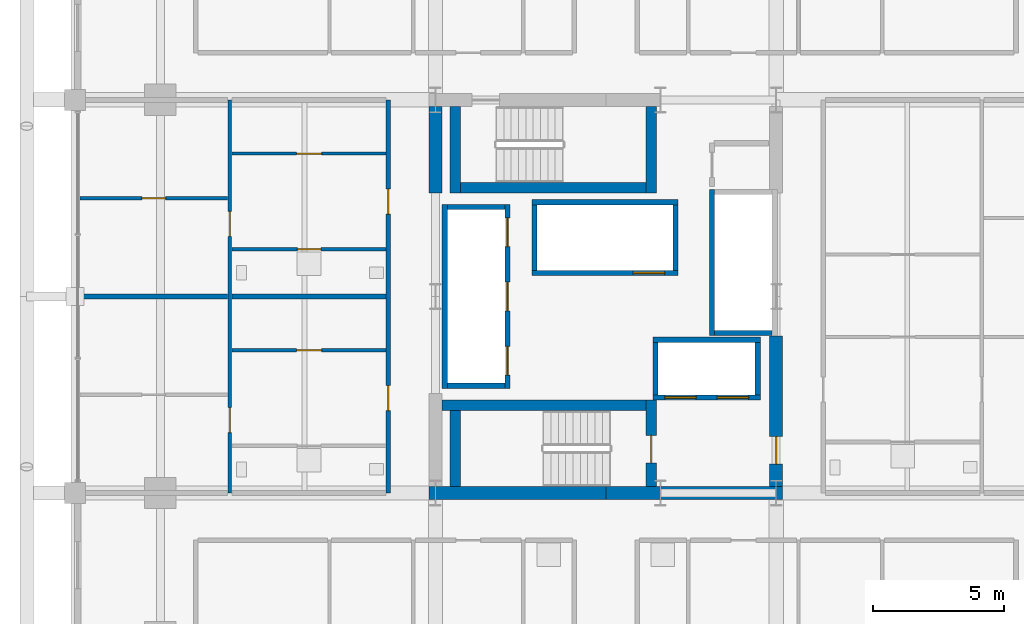
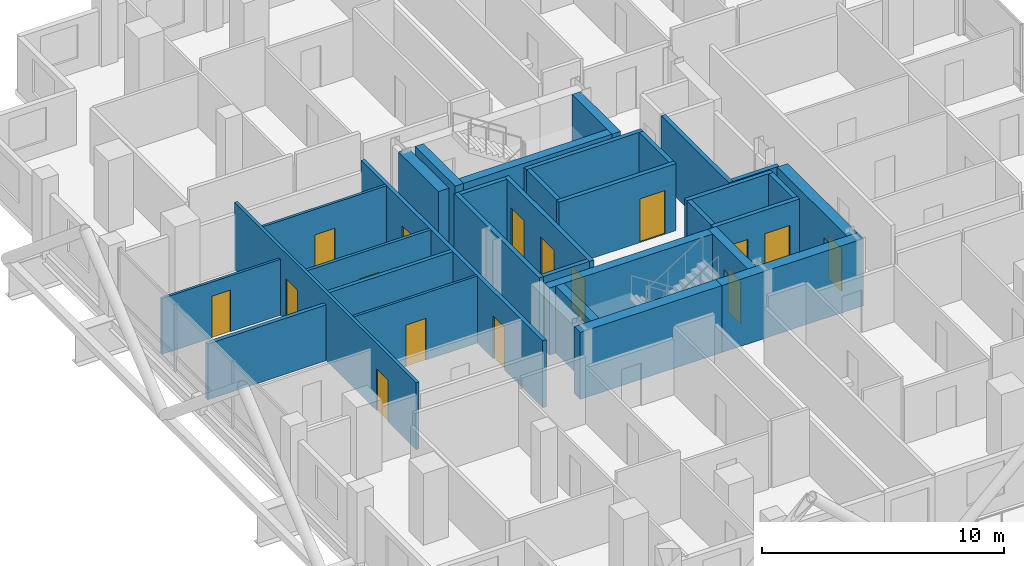
# One storey, part 15 of 21: 32 walls, 16 doors, 16 openings.
"""IFC4 building model written with IfcOpenShell, lengths in metres."""

import ifcopenshell
import ifcopenshell.guid

model = None  # the IFC model being written
_history = None  # IfcOwnerHistory: only IFC2X3 demands one
_inside = {}  # id of a spatial element -> (the spatial element, [elements in it])
_under = {}  # id of a project, library or spatial element -> (it, [spatial elements below it])
_declared = {}  # id of a project -> (the project, [libraries it declares])
_typed = {}  # id of a type object -> (the type object, [elements of that type])
_made_of = {}  # id of a material, layer set ... -> (it, [elements and type objects made of it])


def new_model(schema):
    """Start an empty IFC model of exactly this schema.

    Asked for "IFC4X3", IfcOpenShell would pick the latest addendum, in which some entities
    have other attributes; the version numbers below select the first issue.
    IFC2X3 requires an IfcOwnerHistory on every rooted entity: one is made here for all.
    """
    global model, _history
    if schema == "IFC4X3":
        model = ifcopenshell.file(schema_version=(4, 3, 0, 0))
    else:
        model = ifcopenshell.file(schema=schema)
    _inside.clear()
    _under.clear()
    _declared.clear()
    _typed.clear()
    _made_of.clear()
    _history = None
    if model.schema == "IFC2X3":
        org = make("IfcOrganization", Name="unknown")
        user = make(
            "IfcPersonAndOrganization",
            ThePerson=make("IfcPerson", FamilyName="unknown"),
            TheOrganization=org,
        )
        app = make(
            "IfcApplication",
            ApplicationDeveloper=org,
            Version="unknown",
            ApplicationFullName="unknown",
            ApplicationIdentifier="unknown",
        )
        _history = make(
            "IfcOwnerHistory",
            OwningUser=user,
            OwningApplication=app,
            ChangeAction="ADDED",
            CreationDate=0,
        )
    return model


def make(cls, **values):
    """One entity of the class cls with the attributes given. An attribute that is None is left unset."""
    return model.create_entity(
        cls, **{name: value for name, value in values.items() if value is not None}
    )


def rooted(cls, **values):
    """An entity with a GlobalId (a new one), such as an element, a storey or a relation."""
    return make(cls, GlobalId=ifcopenshell.guid.new(), OwnerHistory=_history, **values)


def si_unit(unit_type, name, prefix=None):
    """IfcSIUnit, for example si_unit("LENGTHUNIT", "METRE", prefix="MILLI")."""
    return make("IfcSIUnit", UnitType=unit_type, Prefix=prefix, Name=name)


def assignment(units):
    """IfcUnitAssignment: the units of a project."""
    return None if units is None else make("IfcUnitAssignment", Units=units)


def point(xyz):
    """IfcCartesianPoint."""
    return None if xyz is None else make("IfcCartesianPoint", Coordinates=xyz)


def direction(xyz):
    """IfcDirection."""
    return None if xyz is None else make("IfcDirection", DirectionRatios=xyz)


def frame(location, z_axis=None, x_axis=None):
    """IfcAxis2Placement3D, a coordinate frame: its origin and axes. An axis left out is left unset."""
    return make(
        "IfcAxis2Placement3D",
        Location=point(location),
        Axis=direction(z_axis),
        RefDirection=direction(x_axis),
    )


def frame_2d(location, x_axis=None):
    """IfcAxis2Placement2D, a coordinate frame in the plane: its origin and x axis."""
    return make(
        "IfcAxis2Placement2D", Location=point(location), RefDirection=direction(x_axis)
    )


def origin():
    """The frame at (0, 0, 0) with its axes left unset."""
    return frame((0.0, 0.0, 0.0))


def place(relative_to, where):
    """IfcLocalPlacement: puts the frame where relative to a parent placement (None: the world)."""
    return make(
        "IfcLocalPlacement", PlacementRelTo=relative_to, RelativePlacement=where
    )


def context(
    kind, dimensions, precision=None, world=None, true_north=None, identifier=None
):
    """IfcGeometricRepresentationContext, for example the 3D "Model" context."""
    return make(
        "IfcGeometricRepresentationContext",
        ContextIdentifier=identifier,
        ContextType=kind,
        CoordinateSpaceDimension=dimensions,
        Precision=precision,
        WorldCoordinateSystem=world,
        TrueNorth=true_north,
    )


def subcontext(parent, identifier, kind, view, scale=None):
    """IfcGeometricRepresentationSubContext, for example "Body" below "Model"."""
    return make(
        "IfcGeometricRepresentationSubContext",
        ContextIdentifier=identifier,
        ContextType=kind,
        ParentContext=parent,
        TargetScale=scale,
        TargetView=view,
    )


def project(units=None, contexts=None):
    """IfcProject with its units and contexts."""
    return rooted(
        "IfcProject",
        Name="project",
        RepresentationContexts=contexts,
        UnitsInContext=assignment(units),
    )


def spatial(cls, under=None, at=None, **own):
    """A site, building, storey or space (cls), placed at a placement, below another one or the project."""
    s = rooted(cls, ObjectPlacement=at, **own)
    if under is not None:
        _under.setdefault(under.id(), (under, []))[1].append(s)
    return s


def profile(cls, at=None, kind="AREA", **sizes):
    """A parametric profile (cls). Its sizes go by their IFC names, for example OverallWidth=200.0."""
    return make(cls, ProfileType=kind, Position=at, **sizes)


def rectangle(**sizes):
    """IfcRectangleProfileDef."""
    return profile("IfcRectangleProfileDef", **sizes)


def extrude(swept, where, along, depth):
    """IfcExtrudedAreaSolid: the profile swept, set in the frame where, extruded along a direction by depth."""
    return make(
        "IfcExtrudedAreaSolid",
        SweptArea=swept,
        Position=where,
        ExtrudedDirection=direction(along),
        Depth=depth,
    )


def shape(context_of_items, identifier, shape_type, items):
    """IfcShapeRepresentation: the items that make up one representation, for example the "Body"."""
    return make(
        "IfcShapeRepresentation",
        ContextOfItems=context_of_items,
        RepresentationIdentifier=identifier,
        RepresentationType=shape_type,
        Items=items,
    )


def material(Name=None, Category=None):
    """IfcMaterial."""
    return make("IfcMaterial", Name=Name, Category=Category)


def layer(
    of_material, thickness, ventilated=None, Name=None, Category=None, Priority=None
):
    """IfcMaterialLayer: one layer of a wall or slab, of a material (None: an air gap)."""
    return make(
        "IfcMaterialLayer",
        Material=of_material,
        LayerThickness=thickness,
        IsVentilated=ventilated,
        Name=Name,
        Category=Category,
        Priority=Priority,
    )


def layer_set(layers, Name=None):
    """IfcMaterialLayerSet."""
    return make("IfcMaterialLayerSet", MaterialLayers=layers, LayerSetName=Name)


def made_of(thing, what):
    """Note that an element or type object is made of a material, layer set ...; save() writes the relation."""
    if what is not None:
        _made_of.setdefault(what.id(), (what, []))[1].append(thing)
    return thing


def type_object(cls, material=None, **own):
    """A type object (cls), such as IfcWallType, which elements share."""
    return made_of(rooted(cls, **own), material)


def element(
    cls,
    number,
    at=None,
    inside=None,
    cuts=None,
    type_object=None,
    material=None,
    context=None,
    identifier="Body",
    shape_type=None,
    held_by="IfcProductDefinitionShape",
    body=None,
    shapes=None,
    **own,
):
    """One element of the class cls, such as IfcWall. Its Tag is "e" and its number.

    at: its placement. inside: the storey or other place that contains it. cuts: it is an
    opening in that element (IfcRelVoidsElement). A single representation is given by context,
    identifier, shape_type and body (its items); several are given by shapes. held_by: the class
    of the entity that holds the representations. save() writes the other relations.
    """
    e = rooted(cls, Tag="e%d" % number, ObjectPlacement=at, **own)
    if body is not None:
        shapes = [shape(context, identifier, shape_type, body)]
    if shapes is not None:
        e.Representation = make(held_by, Representations=shapes)
    if inside is not None:
        _inside.setdefault(inside.id(), (inside, []))[1].append(e)
    if cuts is not None:
        rooted(
            "IfcRelVoidsElement", RelatingBuildingElement=cuts, RelatedOpeningElement=e
        )
    if type_object is not None:
        _typed.setdefault(type_object.id(), (type_object, []))[1].append(e)
    return made_of(e, material)


def fill(opening, filler):
    """IfcRelFillsElement: the door or window that sits in an opening."""
    return rooted(
        "IfcRelFillsElement",
        RelatingOpeningElement=opening,
        RelatedBuildingElement=filler,
    )


def aggregate(whole, parts):
    """IfcRelAggregates: a whole, such as a stair, and the parts it consists of."""
    return rooted("IfcRelAggregates", RelatingObject=whole, RelatedObjects=parts)


def save(model, path):
    """Write the relations noted so far, then the file.

    IfcRelAggregates (storeys below a building ...), IfcRelContainedInSpatialStructure (elements
    in a storey), IfcRelDefinesByType, IfcRelAssociatesMaterial and IfcRelDeclares: one each for
    every whole, place, type object, material and project.
    """
    for whole, parts in _under.values():
        aggregate(whole, parts)
    for where, things in _inside.values():
        rooted(
            "IfcRelContainedInSpatialStructure",
            RelatedElements=things,
            RelatingStructure=where,
        )
    for kind, things in _typed.values():
        rooted("IfcRelDefinesByType", RelatedObjects=things, RelatingType=kind)
    for what, things in _made_of.values():
        rooted("IfcRelAssociatesMaterial", RelatedObjects=things, RelatingMaterial=what)
    for by, libraries in _declared.values():
        rooted("IfcRelDeclares", RelatingContext=by, RelatedDefinitions=libraries)
    model.write(path)


model = new_model("IFC4")

# Units and contexts
model_context = context("Model", 3, precision=1e-05, world=origin(), true_north=direction((0.0, 1.0)))
body_context = subcontext(model_context, "Body", "Model", "MODEL_VIEW")
ifc_project = project(units=[si_unit("LENGTHUNIT", "METRE"), si_unit("AREAUNIT", "SQUARE_METRE"), si_unit("VOLUMEUNIT", "CUBIC_METRE"), si_unit("PLANEANGLEUNIT", "RADIAN"), si_unit("MASSUNIT", "GRAM", prefix="KILO")], contexts=[model_context])

# Site, building, storey
site_placement = place(None, origin())
site = spatial("IfcSite", under=ifc_project, at=site_placement, CompositionType="ELEMENT")
building_placement = place(site_placement, origin())
building = spatial("IfcBuilding", under=site, at=building_placement, Name="Barlavira Tower and Art Museum", CompositionType="ELEMENT")
storey_placement = place(building_placement, frame((0.0, 0.0, 99.0)))
storey = spatial("IfcBuildingStorey", under=building, at=storey_placement, Name="L24", CompositionType="ELEMENT", Elevation=99.0)

# Wall, opening, door
ifc_material_1 = material(Name="Gypsum acoustic stud partition", Category="gypsum")
ifc_layer_1 = layer(ifc_material_1, 0.1201171875, Name="Gypsum acoustic stud partition")
ifc_layer_set_1 = layer_set([ifc_layer_1], Name="Gypsum acoustic stud partition")
wall_type_1 = type_object("IfcWallType", Name="Apartment Internal Acoustic Partition 120", PredefinedType="PARTITIONING", material=ifc_layer_set_1)
wall_1_placement = place(storey_placement, frame((-14.27001953125, -2.050048828125, 0.0), z_axis=(0.0, 0.0, 1.0), x_axis=(1.0, 0.0, 0.0)))
wall_1 = element("IfcWall", 1, at=wall_1_placement, inside=storey, type_object=wall_type_1, Name="L24 Partition Wall 49", PredefinedType="PARTITIONING", context=body_context, shape_type="SweptSolid", body=[
    extrude(rectangle(XDim=5.89013671875, YDim=0.1201171875, at=frame_2d((2.945068359375, 0.0))), origin(), (0.0, 0.0, 1.0), 3.3798828125),
])
opening_1_placement = place(wall_1_placement, frame((2.47509765625, 0.0, 0.0)))
opening_1 = element("IfcOpeningElement", 2, at=opening_1_placement, cuts=wall_1, Name="Opening D-02", PredefinedType="OPENING", context=body_context, shape_type="SweptSolid", body=[
    extrude(rectangle(XDim=0.949951171875, YDim=2.10009765625, at=frame_2d((0.47509765625, 1.050048828125))), frame((0.0, 0.070068359375, 0.0), z_axis=(0.0, -1.0, 0.0), x_axis=(1.0, 0.0, 0.0)), (0.0, 0.0, 1.0), 0.14013671875),
])
ifc_material_2 = material(Name="Engineered coastal hardwood", Category="wood")
door_type_1 = type_object("IfcDoorType", Name="Living and Salon Glazed-Leaf Door 950x2100", OperationType="NOTDEFINED", PredefinedType="DOOR", material=ifc_material_2)
door_1_placement = place(opening_1_placement, origin())
door_1 = element("IfcDoor", 3, at=door_1_placement, inside=storey, type_object=door_type_1, Name="Apartment W1 Kitchen Door", OperationType="SINGLE_SWING_LEFT", OverallHeight=2.10009765625, OverallWidth=0.949951171875, PredefinedType="DOOR", context=body_context, shape_type="SweptSolid", body=[
    extrude(rectangle(XDim=0.949951171875, YDim=2.10009765625, at=frame_2d((0.47509765625, 1.050048828125))), frame((0.0, 0.02490234375, 0.0), z_axis=(0.0, -1.0, 0.0), x_axis=(1.0, 0.0, 0.0)), (0.0, 0.0, 1.0), 0.050048828125),
])
fill(opening_1, door_1)

wall_2_placement = place(storey_placement, frame((-20.070068359375, 3.75, 0.0), z_axis=(0.0, 0.0, 1.0), x_axis=(1.0, 0.0, 0.0)))
wall_2 = element("IfcWall", 4, at=wall_2_placement, inside=storey, type_object=wall_type_1, Name="L24 Partition Wall 57", PredefinedType="PARTITIONING", context=body_context, shape_type="SweptSolid", body=[
    extrude(rectangle(XDim=5.64013671875, YDim=0.1201171875, at=frame_2d((2.820068359375, 0.0))), origin(), (0.0, 0.0, 1.0), 2.81591796875),
])
opening_2_placement = place(wall_2_placement, frame((2.3701171875, 0.0, 0.0)))
opening_2 = element("IfcOpeningElement", 5, at=opening_2_placement, cuts=wall_2, Name="Opening D-01", PredefinedType="OPENING", context=body_context, shape_type="SweptSolid", body=[
    extrude(rectangle(XDim=0.89990234375, YDim=2.10009765625, at=frame_2d((0.449951171875, 1.050048828125))), frame((0.0, 0.070068359375, 0.0), z_axis=(0.0, -1.0, 0.0), x_axis=(1.0, 0.0, 0.0)), (0.0, 0.0, 1.0), 0.14013671875),
])
door_type_2 = type_object("IfcDoorType", Name="Internal Bedroom Timber Flush Door 900x2100", OperationType="NOTDEFINED", PredefinedType="DOOR", material=ifc_material_2)
door_2_placement = place(opening_2_placement, origin())
door_2 = element("IfcDoor", 6, at=door_2_placement, inside=storey, type_object=door_type_2, Name="Apartment W2 Bedroom 1 Door", OperationType="SINGLE_SWING_RIGHT", OverallHeight=2.10009765625, OverallWidth=0.89990234375, PredefinedType="DOOR", context=body_context, shape_type="SweptSolid", body=[
    extrude(rectangle(XDim=0.89990234375, YDim=2.10009765625, at=frame_2d((0.449951171875, 1.050048828125))), frame((0.0, 0.02490234375, 0.0), z_axis=(0.0, -1.0, 0.0), x_axis=(1.0, 0.0, 0.0)), (0.0, 0.0, 1.0), 0.050048828125),
])
fill(opening_2, door_2)

wall_3_placement = place(storey_placement, frame((-14.27001953125, 5.449951171875, 0.0), z_axis=(0.0, 0.0, 1.0), x_axis=(1.0, 0.0, 0.0)))
wall_3 = element("IfcWall", 7, at=wall_3_placement, inside=storey, type_object=wall_type_1, Name="L24 Partition Wall 58", PredefinedType="PARTITIONING", context=body_context, shape_type="SweptSolid", body=[
    extrude(rectangle(XDim=5.89013671875, YDim=0.1201171875, at=frame_2d((2.945068359375, 0.0))), origin(), (0.0, 0.0, 1.0), 3.3798828125),
])
opening_3_placement = place(wall_3_placement, frame((2.47509765625, 0.0, 0.0)))
opening_3 = element("IfcOpeningElement", 8, at=opening_3_placement, cuts=wall_3, Name="Opening D-02", PredefinedType="OPENING", context=body_context, shape_type="SweptSolid", body=[
    extrude(rectangle(XDim=0.949951171875, YDim=2.10009765625, at=frame_2d((0.47509765625, 1.050048828125))), frame((0.0, 0.070068359375, 0.0), z_axis=(0.0, -1.0, 0.0), x_axis=(1.0, 0.0, 0.0)), (0.0, 0.0, 1.0), 0.14013671875),
])
door_3_placement = place(opening_3_placement, origin())
door_3 = element("IfcDoor", 9, at=door_3_placement, inside=storey, type_object=door_type_1, Name="Apartment W2 Kitchen Door", OperationType="SINGLE_SWING_RIGHT", OverallHeight=2.10009765625, OverallWidth=0.949951171875, PredefinedType="DOOR", context=body_context, shape_type="SweptSolid", body=[
    extrude(rectangle(XDim=0.949951171875, YDim=2.10009765625, at=frame_2d((0.47509765625, 1.050048828125))), frame((0.0, 0.02490234375, 0.0), z_axis=(0.0, -1.0, 0.0), x_axis=(1.0, 0.0, 0.0)), (0.0, 0.0, 1.0), 0.050048828125),
])
fill(opening_3, door_3)

# Walls
ifc_material_3 = material(Name="Concrete C60", Category="concrete")
ifc_layer_2 = layer(ifc_material_3, 0.5, Name="Concrete C60")
ifc_layer_set_2 = layer_set([ifc_layer_2], Name="Concrete C60")
wall_type_2 = type_object("IfcWallType", Name="Core Structural Shear Wall 500 Concrete C60", PredefinedType="SHEAR", material=ifc_layer_set_2)
for number, where, z_axis, x_axis, name in (
    (10, (-6.75, -7.5, 0.0), (0.0, 0.0, 1.0), (1.0, 0.0, 0.0), "L24 Core Shear Wall CS-SW"),
    (11, (0.0, -7.5, 0.0), (0.0, 0.0, 1.0), (1.0, 0.0, 0.0), "L24 Core Shear Wall CS-SE"),
):
    element("IfcWall", number, at=place(storey_placement, frame(where, z_axis=z_axis, x_axis=x_axis)), inside=storey, type_object=wall_type_2, Name=name, PredefinedType="SHEAR", context=body_context, shape_type="SweptSolid", body=[
        extrude(rectangle(XDim=6.75, YDim=0.5, at=frame_2d((3.375, 0.0))), origin(), (0.0, 0.0, 1.0), 3.3798828125),
    ])
wall_4_placement = place(storey_placement, frame((-6.5, 3.949951171875, 0.0), z_axis=(0.0, 0.0, 1.0), x_axis=(0.0, 1.0, 0.0)))
element("IfcWall", 12, at=wall_4_placement, inside=storey, type_object=wall_type_2, Name="L24 Core Shear Wall CS-W2", PredefinedType="SHEAR", context=body_context, shape_type="SweptSolid", body=[
    extrude(rectangle(XDim=3.300048828125, YDim=0.5, at=frame_2d((1.64990234375, 0.0))), origin(), (0.0, 0.0, 1.0), 3.3798828125),
])

# Wall, opening, door
wall_5_placement = place(storey_placement, frame((6.5, -7.25, 0.0), z_axis=(0.0, 0.0, 1.0), x_axis=(0.0, 1.0, 0.0)))
wall_5 = element("IfcWall", 13, at=wall_5_placement, inside=storey, type_object=wall_type_2, Name="L24 Core Shear Wall CS-E1", PredefinedType="SHEAR", context=body_context, shape_type="SweptSolid", body=[
    extrude(rectangle(XDim=5.75, YDim=0.5, at=frame_2d((2.875, 0.0))), origin(), (0.0, 0.0, 1.0), 3.3798828125),
])
opening_4_placement = place(wall_5_placement, frame((0.85009765625, 0.0, 0.0)))
opening_4 = element("IfcOpeningElement", 14, at=opening_4_placement, cuts=wall_5, Name="Opening FD-90", PredefinedType="OPENING", context=body_context, shape_type="SweptSolid", body=[
    extrude(rectangle(XDim=1.050048828125, YDim=2.14990234375, at=frame_2d((0.52490234375, 1.074951171875))), frame((0.0, 0.260009765625, 0.0), z_axis=(0.0, -1.0, 0.0), x_axis=(1.0, 0.0, 0.0)), (0.0, 0.0, 1.0), 0.52001953125),
])
ifc_material_4 = material(Name="Brushed stainless steel", Category="steel")
door_type_3 = type_object("IfcDoorType", Name="Stair and Refuge Fire Door 1050x2150 FD90S", OperationType="NOTDEFINED", PredefinedType="DOOR", material=ifc_material_4)
door_4_placement = place(opening_4_placement, origin())
door_4 = element("IfcDoor", 15, at=door_4_placement, inside=storey, type_object=door_type_3, Name="L24 Firefighting Lobby Entry Fire Door", OperationType="SINGLE_SWING_LEFT", OverallHeight=2.14990234375, OverallWidth=1.050048828125, PredefinedType="DOOR", context=body_context, shape_type="SweptSolid", body=[
    extrude(rectangle(XDim=1.050048828125, YDim=2.14990234375, at=frame_2d((0.52490234375, 1.074951171875))), frame((0.0, 0.02490234375, 0.0), z_axis=(0.0, -1.0, 0.0), x_axis=(1.0, 0.0, 0.0)), (0.0, 0.0, 1.0), 0.050048828125),
])
fill(opening_4, door_4)

# Wall, openings, doors
ifc_material_5 = material(Name="Autoclaved aerated concrete masonry", Category="masonry")
ifc_layer_3 = layer(ifc_material_5, 0.199951171875, Name="Autoclaved aerated concrete masonry")
ifc_layer_set_3 = layer_set([ifc_layer_3], Name="Autoclaved aerated concrete masonry")
wall_type_3 = type_object("IfcWallType", Name="Fire Compartment and Shaft Wall 200", PredefinedType="SOLIDWALL", material=ifc_layer_set_3)
wall_6_placement = place(storey_placement, frame((-3.75, -3.510009765625, 0.0), z_axis=(0.0, 0.0, 1.0), x_axis=(0.0, 1.0, 0.0)))
wall_6 = element("IfcWall", 16, at=wall_6_placement, inside=storey, type_object=wall_type_3, Name="L24 Low-Rise Lift Front Shaft Wall", PredefinedType="SOLIDWALL", context=body_context, shape_type="SweptSolid", body=[
    extrude(rectangle(XDim=7.02001953125, YDim=0.199951171875, at=frame_2d((3.510009765625, 0.0))), origin(), (0.0, 0.0, 1.0), 3.3798828125),
])
opening_5_placement = place(wall_6_placement, frame((0.510009765625, 0.0, 0.0)))
opening_5 = element("IfcOpeningElement", 17, at=opening_5_placement, cuts=wall_6, Name="Opening LD-P", PredefinedType="OPENING", context=body_context, shape_type="SweptSolid", body=[
    extrude(rectangle(XDim=1.10009765625, YDim=2.14990234375, at=frame_2d((0.550048828125, 1.074951171875))), frame((0.0, 0.10986328125, 0.0), z_axis=(0.0, -1.0, 0.0), x_axis=(1.0, 0.0, 0.0)), (0.0, 0.0, 1.0), 0.219970703125),
])
opening_6_placement = place(wall_6_placement, frame((2.9599609375, 0.0, 0.0)))
opening_6 = element("IfcOpeningElement", 18, at=opening_6_placement, cuts=wall_6, Name="Opening LD-P", PredefinedType="OPENING", context=body_context, shape_type="SweptSolid", body=[
    extrude(rectangle(XDim=1.10009765625, YDim=2.14990234375, at=frame_2d((0.550048828125, 1.074951171875))), frame((0.0, 0.10986328125, 0.0), z_axis=(0.0, -1.0, 0.0), x_axis=(1.0, 0.0, 0.0)), (0.0, 0.0, 1.0), 0.219970703125),
])
opening_7_placement = place(wall_6_placement, frame((5.409912109375, 0.0, 0.0)))
opening_7 = element("IfcOpeningElement", 19, at=opening_7_placement, cuts=wall_6, Name="Opening LD-P", PredefinedType="OPENING", context=body_context, shape_type="SweptSolid", body=[
    extrude(rectangle(XDim=1.10009765625, YDim=2.14990234375, at=frame_2d((0.550048828125, 1.074951171875))), frame((0.0, 0.10986328125, 0.0), z_axis=(0.0, -1.0, 0.0), x_axis=(1.0, 0.0, 0.0)), (0.0, 0.0, 1.0), 0.219970703125),
])
door_type_4 = type_object("IfcDoorType", Name="Passenger Lift Sliding Landing Door 1100x2150 FD60", OperationType="NOTDEFINED", PredefinedType="DOOR", material=ifc_material_4)
door_5_placement = place(opening_5_placement, origin())
door_5 = element("IfcDoor", 20, at=door_5_placement, inside=storey, type_object=door_type_4, Name="L24 Lift PL1 Sliding Landing Door", OperationType="DOUBLE_DOOR_SLIDING", OverallHeight=2.14990234375, OverallWidth=1.10009765625, PredefinedType="DOOR", context=body_context, shape_type="SweptSolid", body=[
    extrude(rectangle(XDim=1.10009765625, YDim=2.14990234375, at=frame_2d((0.550048828125, 1.074951171875))), frame((0.0, 0.02490234375, 0.0), z_axis=(0.0, -1.0, 0.0), x_axis=(1.0, 0.0, 0.0)), (0.0, 0.0, 1.0), 0.050048828125),
])
fill(opening_5, door_5)
door_6_placement = place(opening_6_placement, origin())
door_6 = element("IfcDoor", 21, at=door_6_placement, inside=storey, type_object=door_type_4, Name="L24 Lift PL2 Sliding Landing Door", OperationType="DOUBLE_DOOR_SLIDING", OverallHeight=2.14990234375, OverallWidth=1.10009765625, PredefinedType="DOOR", context=body_context, shape_type="SweptSolid", body=[
    extrude(rectangle(XDim=1.10009765625, YDim=2.14990234375, at=frame_2d((0.550048828125, 1.074951171875))), frame((0.0, 0.02490234375, 0.0), z_axis=(0.0, -1.0, 0.0), x_axis=(1.0, 0.0, 0.0)), (0.0, 0.0, 1.0), 0.050048828125),
])
fill(opening_6, door_6)
door_7_placement = place(opening_7_placement, origin())
door_7 = element("IfcDoor", 22, at=door_7_placement, inside=storey, type_object=door_type_4, Name="L24 Lift PL3 Sliding Landing Door", OperationType="DOUBLE_DOOR_SLIDING", OverallHeight=2.14990234375, OverallWidth=1.10009765625, PredefinedType="DOOR", context=body_context, shape_type="SweptSolid", body=[
    extrude(rectangle(XDim=1.10009765625, YDim=2.14990234375, at=frame_2d((0.550048828125, 1.074951171875))), frame((0.0, 0.02490234375, 0.0), z_axis=(0.0, -1.0, 0.0), x_axis=(1.0, 0.0, 0.0)), (0.0, 0.0, 1.0), 0.050048828125),
])
fill(opening_7, door_7)

# Walls
wall_7_placement = place(storey_placement, frame((-6.14990234375, -3.510009765625, 0.0), z_axis=(0.0, 0.0, 1.0), x_axis=(0.0, 1.0, 0.0)))
element("IfcWall", 23, at=wall_7_placement, inside=storey, type_object=wall_type_3, Name="L24 Low-Rise Lift Back Shaft Wall", PredefinedType="SOLIDWALL", context=body_context, shape_type="SweptSolid", body=[
    extrude(rectangle(XDim=7.02001953125, YDim=0.199951171875, at=frame_2d((3.510009765625, 0.0))), origin(), (0.0, 0.0, 1.0), 3.3798828125),
])
for number, where, z_axis, x_axis, name in (
    (24, (-6.050048828125, -3.409912109375, 0.0), (0.0, 0.0, 1.0), (1.0, 0.0, 0.0), "L24 Low-Rise Lift South Shaft Wall"),
    (25, (-6.050048828125, 3.409912109375, 0.0), (0.0, 0.0, 1.0), (1.0, 0.0, 0.0), "L24 Low-Rise Lift North Shaft Wall"),
):
    element("IfcWall", number, at=place(storey_placement, frame(where, z_axis=z_axis, x_axis=x_axis)), inside=storey, type_object=wall_type_3, Name=name, PredefinedType="SOLIDWALL", context=body_context, shape_type="SweptSolid", body=[
        extrude(rectangle(XDim=2.199951171875, YDim=0.199951171875, at=frame_2d((1.10009765625, 0.0))), origin(), (0.0, 0.0, 1.0), 3.3798828125),
    ])
wall_8_placement = place(storey_placement, frame((4.050048828125, -1.489990234375, 0.0), z_axis=(0.0, 0.0, 1.0), x_axis=(0.0, 1.0, 0.0)))
element("IfcWall", 26, at=wall_8_placement, inside=storey, type_object=wall_type_3, Name="L24 Mid-Rise Lift Front Shaft Wall", PredefinedType="SOLIDWALL", context=body_context, shape_type="SweptSolid", body=[
    extrude(rectangle(XDim=5.580078125, YDim=0.199951171875, at=frame_2d((2.7900390625, 0.0))), origin(), (0.0, 0.0, 1.0), 3.3798828125),
])
wall_9_placement = place(storey_placement, frame((4.14990234375, -1.389892578125, 0.0), z_axis=(0.0, 0.0, 1.0), x_axis=(1.0, 0.0, 0.0)))
element("IfcWall", 27, at=wall_9_placement, inside=storey, type_object=wall_type_3, Name="L24 Mid-Rise Lift South Shaft Wall", PredefinedType="SOLIDWALL", context=body_context, shape_type="SweptSolid", body=[
    extrude(rectangle(XDim=2.2001953125, YDim=0.199951171875, at=frame_2d((1.10009765625, 0.0))), origin(), (0.0, 0.0, 1.0), 3.3798828125),
])

# Wall, opening, door
wall_10_placement = place(storey_placement, frame((-2.820068359375, 0.89990234375, 0.0), z_axis=(0.0, 0.0, 1.0), x_axis=(1.0, 0.0, 0.0)))
wall_10 = element("IfcWall", 28, at=wall_10_placement, inside=storey, type_object=wall_type_3, Name="L24 High-Rise & Service Lift Front Wall", PredefinedType="SOLIDWALL", context=body_context, shape_type="SweptSolid", body=[
    extrude(rectangle(XDim=5.580078125, YDim=0.199951171875, at=frame_2d((2.7900390625, 0.0))), origin(), (0.0, 0.0, 1.0), 3.3798828125),
])
opening_8_placement = place(wall_10_placement, frame((3.860107421875, 0.0, 0.0)))
opening_8 = element("IfcOpeningElement", 29, at=opening_8_placement, cuts=wall_10, Name="Opening LD-F", PredefinedType="OPENING", context=body_context, shape_type="SweptSolid", body=[
    extrude(rectangle(XDim=1.199951171875, YDim=2.199951171875, at=frame_2d((0.60009765625, 1.10009765625))), frame((0.0, 0.10986328125, 0.0), z_axis=(0.0, -1.0, 0.0), x_axis=(1.0, 0.0, 0.0)), (0.0, 0.0, 1.0), 0.219970703125),
])
door_type_5 = type_object("IfcDoorType", Name="Firefighting and Service Lift Sliding Door 1200x2200 FD120", OperationType="NOTDEFINED", PredefinedType="DOOR", material=ifc_material_4)
door_8_placement = place(opening_8_placement, origin())
door_8 = element("IfcDoor", 30, at=door_8_placement, inside=storey, type_object=door_type_5, Name="L24 Stretcher Service Lift SL1 Sliding Door", OperationType="DOUBLE_DOOR_SLIDING", OverallHeight=2.199951171875, OverallWidth=1.199951171875, PredefinedType="DOOR", context=body_context, shape_type="SweptSolid", body=[
    extrude(rectangle(XDim=1.199951171875, YDim=2.199951171875, at=frame_2d((0.60009765625, 1.10009765625))), frame((0.0, 0.02490234375, 0.0), z_axis=(0.0, -1.0, 0.0), x_axis=(1.0, 0.0, 0.0)), (0.0, 0.0, 1.0), 0.050048828125),
])
fill(opening_8, door_8)

# Walls
wall_11_placement = place(storey_placement, frame((-2.820068359375, 3.60009765625, 0.0), z_axis=(0.0, 0.0, 1.0), x_axis=(1.0, 0.0, 0.0)))
element("IfcWall", 31, at=wall_11_placement, inside=storey, type_object=wall_type_3, Name="L24 High-Rise & Service Lift Back Wall", PredefinedType="SOLIDWALL", context=body_context, shape_type="SweptSolid", body=[
    extrude(rectangle(XDim=5.580078125, YDim=0.199951171875, at=frame_2d((2.7900390625, 0.0))), origin(), (0.0, 0.0, 1.0), 3.3798828125),
])
for number, where, z_axis, x_axis, name in (
    (32, (-2.719970703125, 1.0, 0.0), (0.0, 0.0, 1.0), (0.0, 1.0, 0.0), "L24 High-Rise & Service Lift West Wall"),
    (33, (2.659912109375, 1.0, 0.0), (0.0, 0.0, 1.0), (0.0, 1.0, 0.0), "L24 High-Rise & Service Lift East Wall"),
):
    element("IfcWall", number, at=place(storey_placement, frame(where, z_axis=z_axis, x_axis=x_axis)), inside=storey, type_object=wall_type_3, Name=name, PredefinedType="SOLIDWALL", context=body_context, shape_type="SweptSolid", body=[
        extrude(rectangle(XDim=2.5, YDim=0.199951171875, at=frame_2d((1.25, 0.0))), origin(), (0.0, 0.0, 1.0), 3.3798828125),
    ])

# Wall, openings, doors
wall_12_placement = place(storey_placement, frame((1.800048828125, -3.85009765625, 0.0), z_axis=(0.0, 0.0, 1.0), x_axis=(1.0, 0.0, 0.0)))
wall_12 = element("IfcWall", 34, at=wall_12_placement, inside=storey, type_object=wall_type_3, Name="L24 Firefighting Lift Front Shaft Wall", PredefinedType="SOLIDWALL", context=body_context, shape_type="SweptSolid", body=[
    extrude(rectangle(XDim=4.099853515625, YDim=0.199951171875, at=frame_2d((2.0498046875, 0.0))), origin(), (0.0, 0.0, 1.0), 3.3798828125),
])
opening_9_placement = place(wall_12_placement, frame((0.449951171875, 0.0, 0.0)))
opening_9 = element("IfcOpeningElement", 35, at=opening_9_placement, cuts=wall_12, Name="Opening LD-F", PredefinedType="OPENING", context=body_context, shape_type="SweptSolid", body=[
    extrude(rectangle(XDim=1.199951171875, YDim=2.199951171875, at=frame_2d((0.60009765625, 1.10009765625))), frame((0.0, 0.10986328125, 0.0), z_axis=(0.0, -1.0, 0.0), x_axis=(1.0, 0.0, 0.0)), (0.0, 0.0, 1.0), 0.219970703125),
])
opening_10_placement = place(wall_12_placement, frame((2.449951171875, 0.0, 0.0)))
opening_10 = element("IfcOpeningElement", 36, at=opening_10_placement, cuts=wall_12, Name="Opening LD-F", PredefinedType="OPENING", context=body_context, shape_type="SweptSolid", body=[
    extrude(rectangle(XDim=1.199951171875, YDim=2.199951171875, at=frame_2d((0.60009765625, 1.10009765625))), frame((0.0, 0.10986328125, 0.0), z_axis=(0.0, -1.0, 0.0), x_axis=(1.0, 0.0, 0.0)), (0.0, 0.0, 1.0), 0.219970703125),
])
door_9_placement = place(opening_9_placement, origin())
door_9 = element("IfcDoor", 37, at=door_9_placement, inside=storey, type_object=door_type_5, Name="L24 Firefighting Lift FF1 Sliding Door", OperationType="DOUBLE_DOOR_SLIDING", OverallHeight=2.199951171875, OverallWidth=1.199951171875, PredefinedType="DOOR", context=body_context, shape_type="SweptSolid", body=[
    extrude(rectangle(XDim=1.199951171875, YDim=2.199951171875, at=frame_2d((0.60009765625, 1.10009765625))), frame((0.0, 0.02490234375, 0.0), z_axis=(0.0, -1.0, 0.0), x_axis=(1.0, 0.0, 0.0)), (0.0, 0.0, 1.0), 0.050048828125),
])
fill(opening_9, door_9)
door_10_placement = place(opening_10_placement, origin())
door_10 = element("IfcDoor", 38, at=door_10_placement, inside=storey, type_object=door_type_5, Name="L24 Firefighting Lift FF2 Sliding Door", OperationType="DOUBLE_DOOR_SLIDING", OverallHeight=2.199951171875, OverallWidth=1.199951171875, PredefinedType="DOOR", context=body_context, shape_type="SweptSolid", body=[
    extrude(rectangle(XDim=1.199951171875, YDim=2.199951171875, at=frame_2d((0.60009765625, 1.10009765625))), frame((0.0, 0.02490234375, 0.0), z_axis=(0.0, -1.0, 0.0), x_axis=(1.0, 0.0, 0.0)), (0.0, 0.0, 1.0), 0.050048828125),
])
fill(opening_10, door_10)

# Walls
wall_13_placement = place(storey_placement, frame((1.800048828125, -1.64990234375, 0.0), z_axis=(0.0, 0.0, 1.0), x_axis=(1.0, 0.0, 0.0)))
element("IfcWall", 39, at=wall_13_placement, inside=storey, type_object=wall_type_3, Name="L24 Firefighting Lift Back Shaft Wall", PredefinedType="SOLIDWALL", context=body_context, shape_type="SweptSolid", body=[
    extrude(rectangle(XDim=4.099853515625, YDim=0.199951171875, at=frame_2d((2.0498046875, 0.0))), origin(), (0.0, 0.0, 1.0), 3.3798828125),
])
for number, where, z_axis, x_axis, name in (
    (40, (1.89990234375, -3.75, 0.0), (0.0, 0.0, 1.0), (0.0, 1.0, 0.0), "L24 Firefighting Lift West Shaft Wall"),
    (41, (5.800048828125, -3.75, 0.0), (0.0, 0.0, 1.0), (0.0, 1.0, 0.0), "L24 Firefighting Lift East Shaft Wall"),
):
    element("IfcWall", number, at=place(storey_placement, frame(where, z_axis=z_axis, x_axis=x_axis)), inside=storey, type_object=wall_type_3, Name=name, PredefinedType="SOLIDWALL", context=body_context, shape_type="SweptSolid", body=[
        extrude(rectangle(XDim=2.0, YDim=0.199951171875, at=frame_2d((1.0, 0.0))), origin(), (0.0, 0.0, 1.0), 3.3798828125),
    ])

# Wall, openings, doors
ifc_layer_4 = layer(ifc_material_1, 0.179931640625, Name="Gypsum acoustic stud partition")
ifc_layer_set_4 = layer_set([ifc_layer_4], Name="Gypsum acoustic stud partition")
wall_type_4 = type_object("IfcWallType", Name="Inter-Tenancy Party Partition Wall 180", PredefinedType="PARTITIONING", material=ifc_layer_set_4)
wall_14_placement = place(storey_placement, frame((-8.300048828125, -7.5, 0.0), z_axis=(0.0, 0.0, 1.0), x_axis=(0.0, 1.0, 0.0)))
wall_14 = element("IfcWall", 42, at=wall_14_placement, inside=storey, type_object=wall_type_4, Name="L24 Partition Wall 6", PredefinedType="PARTITIONING", context=body_context, shape_type="SweptSolid", body=[
    extrude(rectangle(XDim=15.0, YDim=0.179931640625, at=frame_2d((7.5, 0.0))), origin(), (0.0, 0.0, 1.0), 3.3798828125),
])
opening_11_placement = place(wall_14_placement, frame((3.14501953125, 0.0, 0.0)))
opening_11 = element("IfcOpeningElement", 43, at=opening_11_placement, cuts=wall_14, Name="Opening FD-60", PredefinedType="OPENING", context=body_context, shape_type="SweptSolid", body=[
    extrude(rectangle(XDim=0.949951171875, YDim=2.14990234375, at=frame_2d((0.47509765625, 1.074951171875))), frame((0.0, 0.10009765625, 0.0), z_axis=(0.0, -1.0, 0.0), x_axis=(1.0, 0.0, 0.0)), (0.0, 0.0, 1.0), 0.199951171875),
])
opening_12_placement = place(wall_14_placement, frame((10.64501953125, 0.0, 0.0)))
opening_12 = element("IfcOpeningElement", 44, at=opening_12_placement, cuts=wall_14, Name="Opening FD-60", PredefinedType="OPENING", context=body_context, shape_type="SweptSolid", body=[
    extrude(rectangle(XDim=0.949951171875, YDim=2.14990234375, at=frame_2d((0.47509765625, 1.074951171875))), frame((0.0, 0.10009765625, 0.0), z_axis=(0.0, -1.0, 0.0), x_axis=(1.0, 0.0, 0.0)), (0.0, 0.0, 1.0), 0.199951171875),
])
door_type_6 = type_object("IfcDoorType", Name="Apartment Entrance and Riser Fire Door 950x2150 FD60S", OperationType="NOTDEFINED", PredefinedType="DOOR", material=ifc_material_4)
door_11_placement = place(opening_11_placement, origin())
door_11 = element("IfcDoor", 45, at=door_11_placement, inside=storey, type_object=door_type_6, Name="Apartment Entrance Hall W1 Door", OperationType="SINGLE_SWING_RIGHT", OverallHeight=2.14990234375, OverallWidth=0.949951171875, PredefinedType="DOOR", context=body_context, shape_type="SweptSolid", body=[
    extrude(rectangle(XDim=0.949951171875, YDim=2.14990234375, at=frame_2d((0.47509765625, 1.074951171875))), frame((0.0, 0.02490234375, 0.0), z_axis=(0.0, -1.0, 0.0), x_axis=(1.0, 0.0, 0.0)), (0.0, 0.0, 1.0), 0.050048828125),
])
fill(opening_11, door_11)
door_12_placement = place(opening_12_placement, origin())
door_12 = element("IfcDoor", 46, at=door_12_placement, inside=storey, type_object=door_type_6, Name="Apartment Entrance Hall W2 Door", OperationType="SINGLE_SWING_LEFT", OverallHeight=2.14990234375, OverallWidth=0.949951171875, PredefinedType="DOOR", context=body_context, shape_type="SweptSolid", body=[
    extrude(rectangle(XDim=0.949951171875, YDim=2.14990234375, at=frame_2d((0.47509765625, 1.074951171875))), frame((0.0, 0.02490234375, 0.0), z_axis=(0.0, -1.0, 0.0), x_axis=(1.0, 0.0, 0.0)), (0.0, 0.0, 1.0), 0.050048828125),
])
fill(opening_12, door_12)

# Walls
wall_15_placement = place(storey_placement, frame((-20.070068359375, 0.0, 0.0), z_axis=(0.0, 0.0, 1.0), x_axis=(1.0, 0.0, 0.0)))
element("IfcWall", 47, at=wall_15_placement, inside=storey, type_object=wall_type_4, Name="L24 Partition Wall 52", PredefinedType="PARTITIONING", context=body_context, shape_type="SweptSolid", body=[
    extrude(rectangle(XDim=5.64013671875, YDim=0.179931640625, at=frame_2d((2.820068359375, 0.0))), origin(), (0.0, 0.0, 1.0), 2.81591796875),
])
wall_16_placement = place(storey_placement, frame((-14.27001953125, 0.0, 0.0), z_axis=(0.0, 0.0, 1.0), x_axis=(1.0, 0.0, 0.0)))
element("IfcWall", 48, at=wall_16_placement, inside=storey, type_object=wall_type_4, Name="L24 Partition Wall 53", PredefinedType="PARTITIONING", context=body_context, shape_type="SweptSolid", body=[
    extrude(rectangle(XDim=5.89013671875, YDim=0.179931640625, at=frame_2d((2.945068359375, 0.0))), origin(), (0.0, 0.0, 1.0), 3.3798828125),
])

# Wall, openings, doors
ifc_layer_5 = layer(ifc_material_1, 0.139892578125, Name="Gypsum acoustic stud partition")
ifc_layer_set_5 = layer_set([ifc_layer_5], Name="Gypsum acoustic stud partition")
wall_type_5 = type_object("IfcWallType", Name="Moisture-Resistant Bathroom Partition 140", PredefinedType="PARTITIONING", material=ifc_layer_set_5)
wall_17_placement = place(storey_placement, frame((-14.35009765625, -7.5, 0.0), z_axis=(0.0, 0.0, 1.0), x_axis=(0.0, 1.0, 0.0)))
wall_17 = element("IfcWall", 49, at=wall_17_placement, inside=storey, type_object=wall_type_5, Name="L24 Partition Wall 3", PredefinedType="PARTITIONING", context=body_context, shape_type="SweptSolid", body=[
    extrude(rectangle(XDim=15.0, YDim=0.139892578125, at=frame_2d((7.5, 0.0))), origin(), (0.0, 0.0, 1.0), 3.3798828125),
])
opening_13_placement = place(wall_17_placement, frame((2.304931640625, 0.0, 0.0)))
opening_13 = element("IfcOpeningElement", 50, at=opening_13_placement, cuts=wall_17, Name="Opening D-02", PredefinedType="OPENING", context=body_context, shape_type="SweptSolid", body=[
    extrude(rectangle(XDim=0.949951171875, YDim=2.10009765625, at=frame_2d((0.47509765625, 1.050048828125))), frame((0.0, 0.080078125, 0.0), z_axis=(0.0, -1.0, 0.0), x_axis=(1.0, 0.0, 0.0)), (0.0, 0.0, 1.0), 0.159912109375),
])
opening_14_placement = place(wall_17_placement, frame((9.794921875, 0.0, 0.0)))
opening_14 = element("IfcOpeningElement", 51, at=opening_14_placement, cuts=wall_17, Name="Opening D-02", PredefinedType="OPENING", context=body_context, shape_type="SweptSolid", body=[
    extrude(rectangle(XDim=0.949951171875, YDim=2.10009765625, at=frame_2d((0.47509765625, 1.050048828125))), frame((0.0, 0.080078125, 0.0), z_axis=(0.0, -1.0, 0.0), x_axis=(1.0, 0.0, 0.0)), (0.0, 0.0, 1.0), 0.159912109375),
])
door_13_placement = place(opening_13_placement, origin())
door_13 = element("IfcDoor", 52, at=door_13_placement, inside=storey, type_object=door_type_1, Name="Apartment W1 Living Lounge Door", OperationType="SINGLE_SWING_RIGHT", OverallHeight=2.10009765625, OverallWidth=0.949951171875, PredefinedType="DOOR", context=body_context, shape_type="SweptSolid", body=[
    extrude(rectangle(XDim=0.949951171875, YDim=2.10009765625, at=frame_2d((0.47509765625, 1.050048828125))), frame((0.0, 0.02490234375, 0.0), z_axis=(0.0, -1.0, 0.0), x_axis=(1.0, 0.0, 0.0)), (0.0, 0.0, 1.0), 0.050048828125),
])
fill(opening_13, door_13)
door_14_placement = place(opening_14_placement, origin())
door_14 = element("IfcDoor", 53, at=door_14_placement, inside=storey, type_object=door_type_1, Name="Apartment W2 Living Lounge Door", OperationType="SINGLE_SWING_LEFT", OverallHeight=2.10009765625, OverallWidth=0.949951171875, PredefinedType="DOOR", context=body_context, shape_type="SweptSolid", body=[
    extrude(rectangle(XDim=0.949951171875, YDim=2.10009765625, at=frame_2d((0.47509765625, 1.050048828125))), frame((0.0, 0.02490234375, 0.0), z_axis=(0.0, -1.0, 0.0), x_axis=(1.0, 0.0, 0.0)), (0.0, 0.0, 1.0), 0.050048828125),
])
fill(opening_14, door_14)

# Wall, opening, door
wall_18_placement = place(storey_placement, frame((-14.27001953125, 1.800048828125, 0.0), z_axis=(0.0, 0.0, 1.0), x_axis=(1.0, 0.0, 0.0)))
wall_18 = element("IfcWall", 54, at=wall_18_placement, inside=storey, type_object=wall_type_5, Name="L24 Partition Wall 55", PredefinedType="PARTITIONING", context=body_context, shape_type="SweptSolid", body=[
    extrude(rectangle(XDim=5.89013671875, YDim=0.139892578125, at=frame_2d((2.945068359375, 0.0))), origin(), (0.0, 0.0, 1.0), 3.3798828125),
])
opening_15_placement = place(wall_18_placement, frame((2.5, 0.0, 0.0)))
opening_15 = element("IfcOpeningElement", 55, at=opening_15_placement, cuts=wall_18, Name="Opening D-WC", PredefinedType="OPENING", context=body_context, shape_type="SweptSolid", body=[
    extrude(rectangle(XDim=0.89990234375, YDim=2.10009765625, at=frame_2d((0.449951171875, 1.050048828125))), frame((0.0, 0.080078125, 0.0), z_axis=(0.0, -1.0, 0.0), x_axis=(1.0, 0.0, 0.0)), (0.0, 0.0, 1.0), 0.159912109375),
])
door_type_7 = type_object("IfcDoorType", Name="Accessible Bathroom Flush Door 900x2100", OperationType="NOTDEFINED", PredefinedType="DOOR", material=ifc_material_2)
door_15_placement = place(opening_15_placement, origin())
door_15 = element("IfcDoor", 56, at=door_15_placement, inside=storey, type_object=door_type_7, Name="Apartment W2 Hall Bathroom Door", OperationType="SINGLE_SWING_RIGHT", OverallHeight=2.10009765625, OverallWidth=0.89990234375, PredefinedType="DOOR", context=body_context, shape_type="SweptSolid", body=[
    extrude(rectangle(XDim=0.89990234375, YDim=2.10009765625, at=frame_2d((0.449951171875, 1.050048828125))), frame((0.0, 0.02490234375, 0.0), z_axis=(0.0, -1.0, 0.0), x_axis=(1.0, 0.0, 0.0)), (0.0, 0.0, 1.0), 0.050048828125),
])
fill(opening_15, door_15)

# Walls
ifc_material_6 = material(Name="Concrete C55", Category="concrete")
ifc_layer_6 = layer(ifc_material_6, 0.39990234375, Name="Concrete C55")
ifc_layer_set_6 = layer_set([ifc_layer_6], Name="Concrete C55")
wall_type_6 = type_object("IfcWallType", Name="Upper Core Shear Wall 400 Concrete C55", PredefinedType="SHEAR", material=ifc_layer_set_6)
wall_19_placement = place(storey_placement, frame((-5.75, -7.25, 0.0), z_axis=(0.0, 0.0, 1.0), x_axis=(0.0, 1.0, 0.0)))
element("IfcWall", 57, at=wall_19_placement, inside=storey, type_object=wall_type_6, Name="L24 ST-T1 West Half-Landing Wall", PredefinedType="SHEAR", context=body_context, shape_type="SweptSolid", body=[
    extrude(rectangle(XDim=2.89990234375, YDim=0.39990234375, at=frame_2d((1.449951171875, 0.0))), origin(), (0.0, 0.0, 1.0), 3.3798828125),
])
wall_20_placement = place(storey_placement, frame((-6.25, -4.14990234375, 0.0), z_axis=(0.0, 0.0, 1.0), x_axis=(1.0, 0.0, 0.0)))
element("IfcWall", 58, at=wall_20_placement, inside=storey, type_object=wall_type_6, Name="L24 ST-T1 North Shaft Wall", PredefinedType="SHEAR", context=body_context, shape_type="SweptSolid", body=[
    extrude(rectangle(XDim=7.780029296875, YDim=0.39990234375, at=frame_2d((3.89013671875, 0.0))), origin(), (0.0, 0.0, 1.0), 3.3798828125),
])

# Wall, opening, door
wall_21_placement = place(storey_placement, frame((1.72998046875, -7.25, 0.0), z_axis=(0.0, 0.0, 1.0), x_axis=(0.0, 1.0, 0.0)))
wall_21 = element("IfcWall", 59, at=wall_21_placement, inside=storey, type_object=wall_type_6, Name="L24 ST-T1 East Landing Wall", PredefinedType="SHEAR", context=body_context, shape_type="SweptSolid", body=[
    extrude(rectangle(XDim=3.300048828125, YDim=0.39990234375, at=frame_2d((1.64990234375, 0.0))), origin(), (0.0, 0.0, 1.0), 3.3798828125),
])
opening_16_placement = place(wall_21_placement, frame((0.89990234375, 0.0, 0.0)))
opening_16 = element("IfcOpeningElement", 60, at=opening_16_placement, cuts=wall_21, Name="Opening FD-90", PredefinedType="OPENING", context=body_context, shape_type="SweptSolid", body=[
    extrude(rectangle(XDim=1.050048828125, YDim=2.14990234375, at=frame_2d((0.52490234375, 1.074951171875))), frame((0.0, 0.2099609375, 0.0), z_axis=(0.0, -1.0, 0.0), x_axis=(1.0, 0.0, 0.0)), (0.0, 0.0, 1.0), 0.419921875),
])
door_16_placement = place(opening_16_placement, origin())
door_16 = element("IfcDoor", 61, at=door_16_placement, inside=storey, type_object=door_type_3, Name="L24 Stair ST-T1 Fire Door", OperationType="SINGLE_SWING_RIGHT", OverallHeight=2.14990234375, OverallWidth=1.050048828125, PredefinedType="DOOR", context=body_context, shape_type="SweptSolid", body=[
    extrude(rectangle(XDim=1.050048828125, YDim=2.14990234375, at=frame_2d((0.52490234375, 1.074951171875))), frame((0.0, 0.02490234375, 0.0), z_axis=(0.0, -1.0, 0.0), x_axis=(1.0, 0.0, 0.0)), (0.0, 0.0, 1.0), 0.050048828125),
])
fill(opening_16, door_16)

# Walls
wall_22_placement = place(storey_placement, frame((-5.550048828125, 4.14990234375, 0.0), z_axis=(0.0, 0.0, 1.0), x_axis=(1.0, 0.0, 0.0)))
element("IfcWall", 62, at=wall_22_placement, inside=storey, type_object=wall_type_6, Name="L24 ST-T2 South Shaft Wall", PredefinedType="SHEAR", context=body_context, shape_type="SweptSolid", body=[
    extrude(rectangle(XDim=7.080078125, YDim=0.39990234375, at=frame_2d((3.5400390625, 0.0))), origin(), (0.0, 0.0, 1.0), 3.3798828125),
])
for number, where, z_axis, x_axis, name in (
    (63, (1.72998046875, 3.949951171875, 0.0), (0.0, 0.0, 1.0), (0.0, 1.0, 0.0), "L24 ST-T2 East Half-Landing Wall"),
    (64, (-5.75, 3.949951171875, 0.0), (0.0, 0.0, 1.0), (0.0, 1.0, 0.0), "L24 ST-T2 West Shaft Wall"),
):
    element("IfcWall", number, at=place(storey_placement, frame(where, z_axis=z_axis, x_axis=x_axis)), inside=storey, type_object=wall_type_6, Name=name, PredefinedType="SHEAR", context=body_context, shape_type="SweptSolid", body=[
        extrude(rectangle(XDim=3.300048828125, YDim=0.39990234375, at=frame_2d((1.64990234375, 0.0))), origin(), (0.0, 0.0, 1.0), 3.3798828125),
    ])

save(model, "model.ifc")
